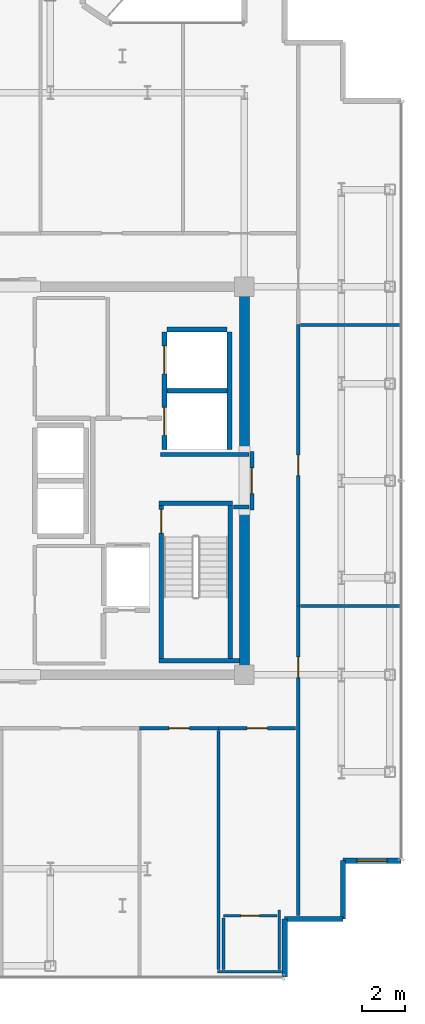
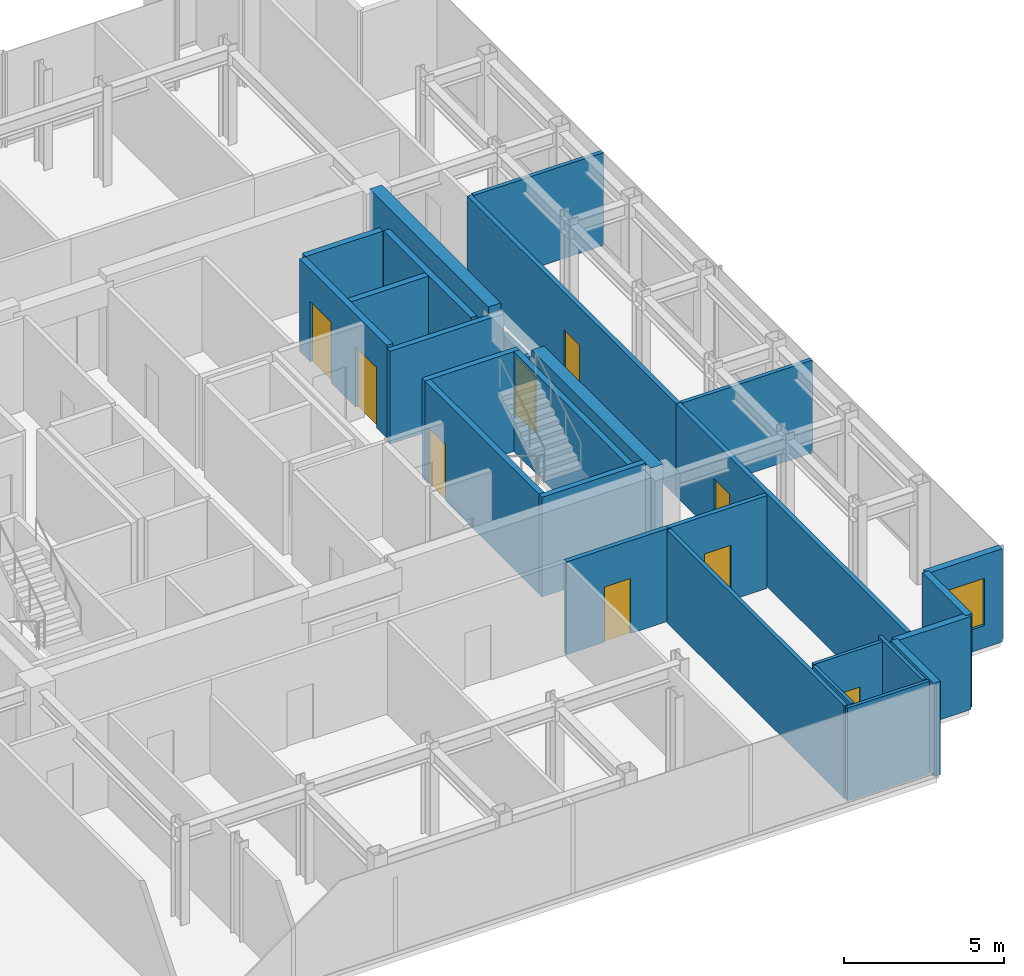
# One storey, part 15 of 18: 28 walls, 9 doors, 1 window, 10 openings.
"""IFC4 building model written with IfcOpenShell, lengths in metres."""

from ifc_helpers import new_model, si_unit, direction, frame, frame_2d, origin, place, context, subcontext, project, spatial, rectangle, extrude, source, transform, mapped, material, layer, layer_set, type_object, element, fill, save


model = new_model("IFC4")

# Units and contexts
model_context = context("Model", 3, precision=1e-05, world=origin(), true_north=direction((0.0, 1.0)))
body_context = subcontext(model_context, "Body", "Model", "MODEL_VIEW")
ifc_project = project(units=[si_unit("LENGTHUNIT", "METRE"), si_unit("AREAUNIT", "SQUARE_METRE"), si_unit("VOLUMEUNIT", "CUBIC_METRE"), si_unit("PLANEANGLEUNIT", "RADIAN"), si_unit("MASSUNIT", "GRAM", prefix="KILO")], contexts=[model_context])

# Site, building, storey
site_placement = place(None, origin())
site = spatial("IfcSite", under=ifc_project, at=site_placement, CompositionType="ELEMENT")
building_placement = place(site_placement, origin())
building = spatial("IfcBuilding", under=site, at=building_placement, Name="Nefas-Gora Pilgrimage Tower", CompositionType="ELEMENT")
storey_placement = place(building_placement, frame((0.0, 0.0, 302.60009765625)))
storey = spatial("IfcBuildingStorey", under=building, at=storey_placement, Name="L76", CompositionType="ELEMENT", Elevation=302.60009765625)

# Walls
ifc_material_1 = material(Name="Concrete C50/60", Category="concrete")
ifc_layer_1 = layer(ifc_material_1, 0.449951171875)
ifc_layer_set_1 = layer_set([ifc_layer_1], Name="Concrete C50/60")
wall_type_1 = type_object("IfcWallType", Name="SW-CORE-450", PredefinedType="SHEAR", material=ifc_layer_set_1)
shared_shape_1 = source(origin(), body_context, "Body", "SweptSolid", [
    extrude(rectangle(XDim=7.4248046875, YDim=0.449951171875, at=frame_2d((3.71240234375, 0.0))), origin(), (0.0, 0.0, 1.0), 3.7998046875),
])
for number, where, z_axis, x_axis, name in (
    (1, (11.25, -8.77490234375, 0.0), (0.0, 0.0, 1.0), (0.0, 1.0, 0.0), "L76 Core Shear Wall E-South"),
    (2, (11.25, 1.35009765625, 0.0), (0.0, 0.0, 1.0), (0.0, 1.0, 0.0), "L76 Core Shear Wall E-North"),
):
    element("IfcWall", number, at=place(storey_placement, frame(where, z_axis=z_axis, x_axis=x_axis)), inside=storey, type_object=wall_type_1, Name=name, PredefinedType="SHEAR", context=body_context, shape_type="MappedRepresentation", body=[
        mapped(shared_shape_1, transform((0.0, 0.0, 0.0), x_axis=(1.0, 0.0, 0.0), y_axis=(0.0, 1.0, 0.0), z_axis=(0.0, 0.0, 1.0), scale=1.0)),
    ])

# Wall, opening, window
ifc_material_2 = material(Name="Precast concrete C45/55", Category="concrete")
ifc_layer_2 = layer(ifc_material_2, 0.239990234375)
ifc_layer_set_2 = layer_set([ifc_layer_2], Name="Precast concrete C45/55")
wall_type_2 = type_object("IfcWallType", Name="EW-SERR-240", PredefinedType="SHEAR", material=ifc_layer_set_2)
shared_shape_2 = source(origin(), body_context, "Body", "SweptSolid", [
    extrude(rectangle(XDim=2.699951171875, YDim=0.239990234375, at=frame_2d((1.35009765625, 0.0))), origin(), (0.0, 0.0, 1.0), 3.5498046875),
])
wall_1_placement = place(storey_placement, frame((15.820068359375, -17.6201171875, 0.0), z_axis=(0.0, 0.0, 1.0), x_axis=(1.0, 0.0, 0.0)))
wall_1 = element("IfcWall", 3, at=wall_1_placement, inside=storey, type_object=wall_type_2, Name="L76 Serrated Corner Shear Pier Wall 1", PredefinedType="SHEAR", context=body_context, shape_type="MappedRepresentation", body=[
    mapped(shared_shape_2, transform((0.0, 0.0, 0.0), x_axis=(1.0, 0.0, 0.0), y_axis=(0.0, 1.0, 0.0), z_axis=(0.0, 0.0, 1.0), scale=1.0)),
])
opening_1_placement = place(wall_1_placement, frame((0.64990234375, 0.0, 0.85009765625)))
opening_1 = element("IfcOpeningElement", 4, at=opening_1_placement, cuts=wall_1, Name="Opening W-V2", PredefinedType="OPENING", context=body_context, shape_type="SweptSolid", body=[
    extrude(rectangle(XDim=1.39990234375, YDim=1.800048828125, at=frame_2d((0.699951171875, 0.89990234375))), frame((0.0, 0.1298828125, 0.0), z_axis=(0.0, -1.0, 0.0), x_axis=(1.0, 0.0, 0.0)), (0.0, 0.0, 1.0), 0.260009765625),
])
ifc_material_3 = material(Name="Dark ceramic-fritted operable aluminium-glass window", Category="aluminium")
window_type = type_object("IfcWindowType", Name="WIN-VENT-1400x1800", PartitioningType="SINGLE_PANEL", PredefinedType="WINDOW", material=ifc_material_3)
shared_shape_3 = source(origin(), body_context, "Body", "SweptSolid", [
    extrude(rectangle(XDim=1.39990234375, YDim=1.800048828125, at=frame_2d((0.699951171875, 0.89990234375))), frame((0.0, 0.030029296875, 0.0), z_axis=(0.0, -1.0, 0.0), x_axis=(1.0, 0.0, 0.0)), (0.0, 0.0, 1.0), 0.06005859375),
])
window_placement = place(opening_1_placement, origin())
window = element("IfcWindow", 5, at=window_placement, inside=storey, type_object=window_type, Name="L76 Operable Parallel-Outswing Window 1", OverallHeight=1.800048828125, OverallWidth=1.39990234375, PartitioningType="SINGLE_PANEL", PredefinedType="WINDOW", context=body_context, shape_type="MappedRepresentation", body=[
    mapped(shared_shape_3, transform((0.0, 0.0, 0.0), x_axis=(1.0, 0.0, 0.0), y_axis=(0.0, 1.0, 0.0), z_axis=(0.0, 0.0, 1.0), scale=1.0)),
])
fill(opening_1, window)

# Walls
for number, where, z_axis, x_axis, name in (
    (6, (13.1201171875, -23.02001953125, 0.0), (0.0, 0.0, 1.0), (0.0, 1.0, 0.0), "L76 Serrated Corner Shear Pier Wall 25"),
    (7, (13.1201171875, -20.320068359375, 0.0), (0.0, 0.0, 1.0), (1.0, 0.0, 0.0), "L76 Serrated Corner Shear Pier Wall 26"),
    (8, (15.820068359375, -20.320068359375, 0.0), (0.0, 0.0, 1.0), (0.0, 1.0, 0.0), "L76 Serrated Corner Shear Pier Wall 27"),
):
    element("IfcWall", number, at=place(storey_placement, frame(where, z_axis=z_axis, x_axis=x_axis)), inside=storey, type_object=wall_type_2, Name=name, PredefinedType="SHEAR", context=body_context, shape_type="MappedRepresentation", body=[
        mapped(shared_shape_2, transform((0.0, 0.0, 0.0), x_axis=(1.0, 0.0, 0.0), y_axis=(0.0, 1.0, 0.0), z_axis=(0.0, 0.0, 1.0), scale=1.0)),
    ])
ifc_material_4 = material(Name="Concrete C45/55", Category="concrete")
ifc_layer_3 = layer(ifc_material_4, 0.199951171875)
ifc_layer_set_3 = layer_set([ifc_layer_3], Name="Concrete C45/55")
wall_type_3 = type_object("IfcWallType", Name="IW-STAIR-200", PredefinedType="SOLIDWALL", material=ifc_layer_set_3)
shared_shape_4 = source(origin(), body_context, "Body", "SweptSolid", [
    extrude(rectangle(XDim=3.39990234375, YDim=0.199951171875, at=frame_2d((1.699951171875, 0.0))), origin(), (0.0, 0.0, 1.0), 3.7998046875),
])
wall_2_placement = place(storey_placement, frame((7.300048828125, -1.050048828125, 0.0), z_axis=(0.0, 0.0, 1.0), x_axis=(1.0, 0.0, 0.0)))
element("IfcWall", 9, at=wall_2_placement, inside=storey, type_object=wall_type_3, Name="L76 Stairwell Shear Wall ST-02-near", PredefinedType="SOLIDWALL", context=body_context, shape_type="MappedRepresentation", body=[
    mapped(shared_shape_4, transform((0.0, 0.0, 0.0), x_axis=(1.0, 0.0, 0.0), y_axis=(0.0, 1.0, 0.0), z_axis=(0.0, 0.0, 1.0), scale=1.0)),
])

# Wall, opening, door
shared_shape_5 = source(origin(), body_context, "Body", "SweptSolid", [
    extrude(rectangle(XDim=7.10009765625, YDim=0.199951171875, at=frame_2d((3.550048828125, 0.0))), origin(), (0.0, 0.0, 1.0), 3.7998046875),
])
wall_3_placement = place(storey_placement, frame((7.39990234375, -1.14990234375, 0.0), z_axis=(0.0, 0.0, 1.0), x_axis=(0.0, -1.0, 0.0)))
wall_3 = element("IfcWall", 10, at=wall_3_placement, inside=storey, type_object=wall_type_3, Name="L76 Stairwell Shear Wall ST-02-left", PredefinedType="SOLIDWALL", context=body_context, shape_type="MappedRepresentation", body=[
    mapped(shared_shape_5, transform((0.0, 0.0, 0.0), x_axis=(1.0, 0.0, 0.0), y_axis=(0.0, 1.0, 0.0), z_axis=(0.0, 0.0, 1.0), scale=1.0)),
])
opening_2_placement = place(wall_3_placement, frame((0.179931640625, 0.0, 0.0)))
opening_2 = element("IfcOpeningElement", 11, at=opening_2_placement, cuts=wall_3, Name="Opening ID-ST1", PredefinedType="OPENING", context=body_context, shape_type="SweptSolid", body=[
    extrude(rectangle(XDim=1.10009765625, YDim=2.14990234375, at=frame_2d((0.550048828125, 1.074951171875))), frame((0.0, 0.10986328125, 0.0), z_axis=(0.0, -1.0, 0.0), x_axis=(1.0, 0.0, 0.0)), (0.0, 0.0, 1.0), 0.219970703125),
])
ifc_material_5 = material(Name="Painted galvanised steel fire stair door", Category="steel")
door_type_1 = type_object("IfcDoorType", Name="DR-INT-STAIR-1100", OperationType="NOTDEFINED", PredefinedType="DOOR", material=ifc_material_5)
shared_shape_6 = source(origin(), body_context, "Body", "SweptSolid", [
    extrude(rectangle(XDim=1.10009765625, YDim=2.14990234375, at=frame_2d((0.550048828125, 1.074951171875))), frame((0.0, 0.02490234375, 0.0), z_axis=(0.0, -1.0, 0.0), x_axis=(1.0, 0.0, 0.0)), (0.0, 0.0, 1.0), 0.050048828125),
])
door_1_placement = place(opening_2_placement, origin())
door_1 = element("IfcDoor", 12, at=door_1_placement, inside=storey, type_object=door_type_1, Name="L76 Protected Exit Stair Door ST-02", OperationType="SINGLE_SWING_LEFT", OverallHeight=2.14990234375, OverallWidth=1.10009765625, PredefinedType="DOOR", context=body_context, shape_type="MappedRepresentation", body=[
    mapped(shared_shape_6, transform((0.0, 0.0, 0.0), x_axis=(1.0, 0.0, 0.0), y_axis=(0.0, 1.0, 0.0), z_axis=(0.0, 0.0, 1.0), scale=1.0)),
])
fill(opening_2, door_1)

# Walls
wall_4_placement = place(storey_placement, frame((10.60009765625, -1.14990234375, 0.0), z_axis=(0.0, 0.0, 1.0), x_axis=(0.0, -1.0, 0.0)))
element("IfcWall", 13, at=wall_4_placement, inside=storey, type_object=wall_type_3, Name="L76 Stairwell Shear Wall ST-02-right", PredefinedType="SOLIDWALL", context=body_context, shape_type="MappedRepresentation", body=[
    mapped(shared_shape_5, transform((0.0, 0.0, 0.0), x_axis=(1.0, 0.0, 0.0), y_axis=(0.0, 1.0, 0.0), z_axis=(0.0, 0.0, 1.0), scale=1.0)),
])
shared_shape_7 = source(origin(), body_context, "Body", "SweptSolid", [
    extrude(rectangle(XDim=3.72998046875, YDim=0.199951171875, at=frame_2d((1.864990234375, 0.0))), origin(), (0.0, 0.0, 1.0), 3.7998046875),
])
wall_5_placement = place(storey_placement, frame((7.300048828125, -8.35009765625, 0.0), z_axis=(0.0, 0.0, 1.0), x_axis=(1.0, 0.0, 0.0)))
element("IfcWall", 14, at=wall_5_placement, inside=storey, type_object=wall_type_3, Name="L76 Stairwell Shear Wall ST-02-far", PredefinedType="SOLIDWALL", context=body_context, shape_type="MappedRepresentation", body=[
    mapped(shared_shape_7, transform((0.0, 0.0, 0.0), x_axis=(1.0, 0.0, 0.0), y_axis=(0.0, 1.0, 0.0), z_axis=(0.0, 0.0, 1.0), scale=1.0)),
])

# Wall, openings, doors
ifc_material_6 = material(Name="Concrete C40/50", Category="concrete")
ifc_layer_4 = layer(ifc_material_6, 0.219970703125)
ifc_layer_set_4 = layer_set([ifc_layer_4], Name="Concrete C40/50")
wall_type_4 = type_object("IfcWallType", Name="IW-SHAFT-220", PredefinedType="SOLIDWALL", material=ifc_layer_set_4)
shared_shape_8 = source(origin(), body_context, "Body", "SweptSolid", [
    extrude(rectangle(XDim=5.449951171875, YDim=0.219970703125, at=frame_2d((2.72509765625, 0.0))), origin(), (0.0, 0.0, 1.0), 3.534912109375),
])
wall_6_placement = place(storey_placement, frame((7.5400390625, 6.89990234375, 0.0), z_axis=(0.0, 0.0, 1.0), x_axis=(0.0, -1.0, 0.0)))
wall_6 = element("IfcWall", 15, at=wall_6_placement, inside=storey, type_object=wall_type_4, Name="L76 Hoistway Wall SL-01-02-W", PredefinedType="SOLIDWALL", context=body_context, shape_type="MappedRepresentation", body=[
    mapped(shared_shape_8, transform((0.0, 0.0, 0.0), x_axis=(1.0, 0.0, 0.0), y_axis=(0.0, 1.0, 0.0), z_axis=(0.0, 0.0, 1.0), scale=1.0)),
])
opening_3_placement = place(wall_6_placement, frame((3.5, 0.0, 0.0)))
opening_3 = element("IfcOpeningElement", 16, at=opening_3_placement, cuts=wall_6, Name="Opening LD-SV", PredefinedType="OPENING", context=body_context, shape_type="SweptSolid", body=[
    extrude(rectangle(XDim=1.300048828125, YDim=2.300048828125, at=frame_2d((0.64990234375, 1.14990234375))), frame((0.0, 0.119873046875, 0.0), z_axis=(0.0, -1.0, 0.0), x_axis=(1.0, 0.0, 0.0)), (0.0, 0.0, 1.0), 0.239990234375),
])
opening_4_placement = place(wall_6_placement, frame((0.64990234375, 0.0, 0.0)))
opening_4 = element("IfcOpeningElement", 17, at=opening_4_placement, cuts=wall_6, Name="Opening LD-SV", PredefinedType="OPENING", context=body_context, shape_type="SweptSolid", body=[
    extrude(rectangle(XDim=1.300048828125, YDim=2.300048828125, at=frame_2d((0.64990234375, 1.14990234375))), frame((0.0, 0.119873046875, 0.0), z_axis=(0.0, -1.0, 0.0), x_axis=(1.0, 0.0, 0.0)), (0.0, 0.0, 1.0), 0.239990234375),
])
ifc_material_7 = material(Name="Heavy goods sliding lift landing door")
door_type_2 = type_object("IfcDoorType", Name="DR-LIFT-SERV-1300", OperationType="SLIDING_TO_RIGHT", PredefinedType="DOOR", material=ifc_material_7)
shared_shape_9 = source(origin(), body_context, "Body", "SweptSolid", [
    extrude(rectangle(XDim=1.300048828125, YDim=2.300048828125, at=frame_2d((0.64990234375, 1.14990234375))), frame((0.0, 0.02490234375, 0.0), z_axis=(0.0, -1.0, 0.0), x_axis=(1.0, 0.0, 0.0)), (0.0, 0.0, 1.0), 0.050048828125),
])
door_2_placement = place(opening_3_placement, origin())
door_2 = element("IfcDoor", 18, at=door_2_placement, inside=storey, type_object=door_type_2, Name="L76 Sliding Lift Landing Door SL-01", OperationType="SLIDING_TO_RIGHT", OverallHeight=2.300048828125, OverallWidth=1.300048828125, PredefinedType="DOOR", context=body_context, shape_type="MappedRepresentation", body=[
    mapped(shared_shape_9, transform((0.0, 0.0, 0.0), x_axis=(1.0, 0.0, 0.0), y_axis=(0.0, 1.0, 0.0), z_axis=(0.0, 0.0, 1.0), scale=1.0)),
])
fill(opening_3, door_2)
door_3_placement = place(opening_4_placement, origin())
door_3 = element("IfcDoor", 19, at=door_3_placement, inside=storey, type_object=door_type_2, Name="L76 Sliding Lift Landing Door SL-02", OperationType="SLIDING_TO_RIGHT", OverallHeight=2.300048828125, OverallWidth=1.300048828125, PredefinedType="DOOR", context=body_context, shape_type="MappedRepresentation", body=[
    mapped(shared_shape_9, transform((0.0, 0.0, 0.0), x_axis=(1.0, 0.0, 0.0), y_axis=(0.0, 1.0, 0.0), z_axis=(0.0, 0.0, 1.0), scale=1.0)),
])
fill(opening_4, door_3)

# Walls
wall_7_placement = place(storey_placement, frame((10.56005859375, 1.449951171875, 0.0), z_axis=(0.0, 0.0, 1.0), x_axis=(0.0, 1.0, 0.0)))
element("IfcWall", 20, at=wall_7_placement, inside=storey, type_object=wall_type_4, Name="L76 Hoistway Wall SL-01-02-E", PredefinedType="SOLIDWALL", context=body_context, shape_type="MappedRepresentation", body=[
    mapped(shared_shape_8, transform((0.0, 0.0, 0.0), x_axis=(1.0, 0.0, 0.0), y_axis=(0.0, 1.0, 0.0), z_axis=(0.0, 0.0, 1.0), scale=1.0)),
])
shared_shape_10 = source(origin(), body_context, "Body", "SweptSolid", [
    extrude(rectangle(XDim=2.780029296875, YDim=0.219970703125, at=frame_2d((1.39013671875, 0.0))), origin(), (0.0, 0.0, 1.0), 3.534912109375),
])
for number, where, z_axis, x_axis, name in (
    (21, (7.659912109375, 4.175048828125, 0.0), (0.0, 0.0, 1.0), (1.0, 0.0, 0.0), "L76 Hoistway Wall SL-01-02-DIV"),
    (22, (10.43994140625, 7.010009765625, 0.0), (0.0, 0.0, 1.0), (-1.0, 0.0, 0.0), "L76 Hoistway Wall SL-02-N"),
):
    element("IfcWall", number, at=place(storey_placement, frame(where, z_axis=z_axis, x_axis=x_axis)), inside=storey, type_object=wall_type_4, Name=name, PredefinedType="SOLIDWALL", context=body_context, shape_type="MappedRepresentation", body=[
        mapped(shared_shape_10, transform((0.0, 0.0, 0.0), x_axis=(1.0, 0.0, 0.0), y_axis=(0.0, 1.0, 0.0), z_axis=(0.0, 0.0, 1.0), scale=1.0)),
    ])
ifc_material_8 = material(Name="Gypsum fire-rated shaftwall")
ifc_layer_5 = layer(ifc_material_8, 0.199951171875)
ifc_layer_set_5 = layer_set([ifc_layer_5], Name="Gypsum fire-rated shaftwall")
wall_type_5 = type_object("IfcWallType", Name="IW-FFLOB-200", PredefinedType="PARTITIONING", material=ifc_layer_set_5)
shared_shape_11 = source(origin(), body_context, "Body", "SweptSolid", [
    extrude(rectangle(XDim=0.719970703125, YDim=0.199951171875, at=frame_2d((0.35986328125, 0.0))), origin(), (0.0, 0.0, 1.0), 3.534912109375),
])
wall_8_placement = place(storey_placement, frame((10.739990234375, -1.219970703125, 0.0), z_axis=(0.0, 0.0, 1.0), x_axis=(1.0, 0.0, 0.0)))
element("IfcWall", 23, at=wall_8_placement, inside=storey, type_object=wall_type_5, Name="L76 FF Lobby East Throat S Wall 15", PredefinedType="PARTITIONING", context=body_context, shape_type="MappedRepresentation", body=[
    mapped(shared_shape_11, transform((0.0, 0.0, 0.0), x_axis=(1.0, 0.0, 0.0), y_axis=(0.0, 1.0, 0.0), z_axis=(0.0, 0.0, 1.0), scale=1.0)),
])
shared_shape_12 = source(origin(), body_context, "Body", "SweptSolid", [
    extrude(rectangle(XDim=4.10986328125, YDim=0.199951171875, at=frame_2d((2.054931640625, 0.0))), origin(), (0.0, 0.0, 1.0), 3.534912109375),
])
wall_9_placement = place(storey_placement, frame((7.35009765625, 1.219970703125, 0.0), z_axis=(0.0, 0.0, 1.0), x_axis=(1.0, 0.0, 0.0)))
element("IfcWall", 24, at=wall_9_placement, inside=storey, type_object=wall_type_5, Name="L76 FF Lobby East Throat N Wall 14", PredefinedType="PARTITIONING", context=body_context, shape_type="MappedRepresentation", body=[
    mapped(shared_shape_12, transform((0.0, 0.0, 0.0), x_axis=(1.0, 0.0, 0.0), y_axis=(0.0, 1.0, 0.0), z_axis=(0.0, 0.0, 1.0), scale=1.0)),
])

# Wall, opening, door
ifc_material_9 = material(Name="Gypsum acoustic stud partition")
ifc_layer_6 = layer(ifc_material_9, 0.159912109375)
ifc_layer_set_6 = layer_set([ifc_layer_6], Name="Gypsum acoustic stud partition")
wall_type_6 = type_object("IfcWallType", Name="IW-CORR-160", PredefinedType="PARTITIONING", material=ifc_layer_set_6)
shared_shape_13 = source(origin(), body_context, "Body", "SweptSolid", [
    extrude(rectangle(XDim=3.6650390625, YDim=0.159912109375, at=frame_2d((1.83251953125, 0.0))), origin(), (0.0, 0.0, 1.0), 3.534912109375),
])
wall_10_placement = place(storey_placement, frame((6.39501953125, -11.469970703125, 0.0), z_axis=(0.0, 0.0, 1.0), x_axis=(1.0, 0.0, 0.0)))
wall_10 = element("IfcWall", 25, at=wall_10_placement, inside=storey, type_object=wall_type_6, Name="L76 Pilgrim Contemplative Lounge Partition Wall 71", PredefinedType="PARTITIONING", context=body_context, shape_type="MappedRepresentation", body=[
    mapped(shared_shape_13, transform((0.0, 0.0, 0.0), x_axis=(1.0, 0.0, 0.0), y_axis=(0.0, 1.0, 0.0), z_axis=(0.0, 0.0, 1.0), scale=1.0)),
])
opening_5_placement = place(wall_10_placement, frame((1.357421875, 0.0, 0.0)))
opening_5 = element("IfcOpeningElement", 26, at=opening_5_placement, cuts=wall_10, Name="Opening ID-GR1", PredefinedType="OPENING", context=body_context, shape_type="SweptSolid", body=[
    extrude(rectangle(XDim=0.949951171875, YDim=2.10009765625, at=frame_2d((0.47509765625, 1.050048828125))), frame((0.0, 0.08984375, 0.0), z_axis=(0.0, -1.0, 0.0), x_axis=(1.0, 0.0, 0.0)), (0.0, 0.0, 1.0), 0.179931640625),
])
ifc_material_10 = material(Name="Solid core oak fire-rated guest entrance door")
door_type_3 = type_object("IfcDoorType", Name="DR-INT-GUEST-950", OperationType="NOTDEFINED", PredefinedType="DOOR", material=ifc_material_10)
shared_shape_14 = source(origin(), body_context, "Body", "SweptSolid", [
    extrude(rectangle(XDim=0.949951171875, YDim=2.10009765625, at=frame_2d((0.47509765625, 1.050048828125))), frame((0.0, 0.02490234375, 0.0), z_axis=(0.0, -1.0, 0.0), x_axis=(1.0, 0.0, 0.0)), (0.0, 0.0, 1.0), 0.050048828125),
])
door_4_placement = place(opening_5_placement, origin())
door_4 = element("IfcDoor", 27, at=door_4_placement, inside=storey, type_object=door_type_3, Name="L76 Pilgrim Contemplative Lounge Door 32", OperationType="SINGLE_SWING_LEFT", OverallHeight=2.10009765625, OverallWidth=0.949951171875, PredefinedType="DOOR", context=body_context, shape_type="MappedRepresentation", body=[
    mapped(shared_shape_14, transform((0.0, 0.0, 0.0), x_axis=(1.0, 0.0, 0.0), y_axis=(0.0, 1.0, 0.0), z_axis=(0.0, 0.0, 1.0), scale=1.0)),
])
fill(opening_5, door_4)

shared_shape_15 = source(origin(), body_context, "Body", "SweptSolid", [
    extrude(rectangle(XDim=3.56005859375, YDim=0.159912109375, at=frame_2d((1.780029296875, 0.0))), origin(), (0.0, 0.0, 1.0), 3.534912109375),
])
wall_11_placement = place(storey_placement, frame((10.06005859375, -11.469970703125, 0.0), z_axis=(0.0, 0.0, 1.0), x_axis=(1.0, 0.0, 0.0)))
wall_11 = element("IfcWall", 28, at=wall_11_placement, inside=storey, type_object=wall_type_6, Name="L76 Pilgrim Sanctuary Suite Partition Wall 73", PredefinedType="PARTITIONING", context=body_context, shape_type="MappedRepresentation", body=[
    mapped(shared_shape_15, transform((0.0, 0.0, 0.0), x_axis=(1.0, 0.0, 0.0), y_axis=(0.0, 1.0, 0.0), z_axis=(0.0, 0.0, 1.0), scale=1.0)),
])
opening_6_placement = place(wall_11_placement, frame((1.304931640625, 0.0, 0.0)))
opening_6 = element("IfcOpeningElement", 29, at=opening_6_placement, cuts=wall_11, Name="Opening ID-GR1", PredefinedType="OPENING", context=body_context, shape_type="SweptSolid", body=[
    extrude(rectangle(XDim=0.949951171875, YDim=2.10009765625, at=frame_2d((0.47509765625, 1.050048828125))), frame((0.0, 0.08984375, 0.0), z_axis=(0.0, -1.0, 0.0), x_axis=(1.0, 0.0, 0.0)), (0.0, 0.0, 1.0), 0.179931640625),
])
door_5_placement = place(opening_6_placement, origin())
door_5 = element("IfcDoor", 30, at=door_5_placement, inside=storey, type_object=door_type_3, Name="L76 Pilgrim Sanctuary Suite Door 33", OperationType="SINGLE_SWING_RIGHT", OverallHeight=2.10009765625, OverallWidth=0.949951171875, PredefinedType="DOOR", context=body_context, shape_type="MappedRepresentation", body=[
    mapped(shared_shape_14, transform((0.0, 0.0, 0.0), x_axis=(1.0, 0.0, 0.0), y_axis=(0.0, 1.0, 0.0), z_axis=(0.0, 0.0, 1.0), scale=1.0)),
])
fill(opening_6, door_5)

ifc_material_11 = material(Name="Moisture-resistant fire-rated gypsum partition")
ifc_layer_7 = layer(ifc_material_11, 0.1201171875)
ifc_layer_set_7 = layer_set([ifc_layer_7], Name="Moisture-resistant fire-rated gypsum partition")
wall_type_7 = type_object("IfcWallType", Name="IW-WET-120", PredefinedType="PLUMBINGWALL", material=ifc_layer_set_7)
shared_shape_16 = source(origin(), body_context, "Body", "SweptSolid", [
    extrude(rectangle(XDim=2.47998046875, YDim=0.1201171875, at=frame_2d((1.239990234375, 0.0))), origin(), (0.0, 0.0, 1.0), 3.534912109375),
])
wall_12_placement = place(storey_placement, frame((10.280029296875, -20.179931640625, 0.0), z_axis=(0.0, 0.0, 1.0), x_axis=(1.0, 0.0, 0.0)))
wall_12 = element("IfcWall", 31, at=wall_12_placement, inside=storey, type_object=wall_type_7, Name="L76 En-Suite Bathroom Wall 21", PredefinedType="PLUMBINGWALL", context=body_context, shape_type="MappedRepresentation", body=[
    mapped(shared_shape_16, transform((0.0, 0.0, 0.0), x_axis=(1.0, 0.0, 0.0), y_axis=(0.0, 1.0, 0.0), z_axis=(0.0, 0.0, 1.0), scale=1.0)),
])
opening_7_placement = place(wall_12_placement, frame((0.81494140625, 0.0, 0.0)))
opening_7 = element("IfcOpeningElement", 32, at=opening_7_placement, cuts=wall_12, Name="Opening ID-BT1", PredefinedType="OPENING", context=body_context, shape_type="SweptSolid", body=[
    extrude(rectangle(XDim=0.85009765625, YDim=2.10009765625, at=frame_2d((0.425048828125, 1.050048828125))), frame((0.0, 0.070068359375, 0.0), z_axis=(0.0, -1.0, 0.0), x_axis=(1.0, 0.0, 0.0)), (0.0, 0.0, 1.0), 0.14013671875),
])
ifc_material_12 = material(Name="Moisture-resistant fire-rated timber door", Category="wood")
door_type_4 = type_object("IfcDoorType", Name="DR-INT-BATH-850", OperationType="NOTDEFINED", PredefinedType="DOOR", material=ifc_material_12)
shared_shape_17 = source(origin(), body_context, "Body", "SweptSolid", [
    extrude(rectangle(XDim=0.85009765625, YDim=2.10009765625, at=frame_2d((0.425048828125, 1.050048828125))), frame((0.0, 0.02490234375, 0.0), z_axis=(0.0, -1.0, 0.0), x_axis=(1.0, 0.0, 0.0)), (0.0, 0.0, 1.0), 0.050048828125),
])
door_6_placement = place(opening_7_placement, origin())
door_6 = element("IfcDoor", 33, at=door_6_placement, inside=storey, type_object=door_type_4, Name="L76 En-Suite Bathroom Door 8", OperationType="SINGLE_SWING_LEFT", OverallHeight=2.10009765625, OverallWidth=0.85009765625, PredefinedType="DOOR", context=body_context, shape_type="MappedRepresentation", body=[
    mapped(shared_shape_17, transform((0.0, 0.0, 0.0), x_axis=(1.0, 0.0, 0.0), y_axis=(0.0, 1.0, 0.0), z_axis=(0.0, 0.0, 1.0), scale=1.0)),
])
fill(opening_7, door_6)

shared_shape_18 = source(origin(), body_context, "Body", "SweptSolid", [
    extrude(rectangle(XDim=2.7001953125, YDim=0.199951171875, at=frame_2d((1.35009765625, 0.0))), origin(), (0.0, 0.0, 1.0), 2.625),
])
wall_13_placement = place(storey_placement, frame((11.60009765625, -1.35009765625, 0.0), z_axis=(0.0, 0.0, 1.0), x_axis=(0.0, 1.0, 0.0)))
wall_13 = element("IfcWall", 34, at=wall_13_placement, inside=storey, type_object=wall_type_5, Name="L76 FF Lobby East Portal Wall 10", PredefinedType="PARTITIONING", context=body_context, shape_type="MappedRepresentation", body=[
    mapped(shared_shape_18, transform((0.0, 0.0, 0.0), x_axis=(1.0, 0.0, 0.0), y_axis=(0.0, 1.0, 0.0), z_axis=(0.0, 0.0, 1.0), scale=1.0)),
])
opening_8_placement = place(wall_13_placement, frame((0.75, 0.0, 0.0)))
opening_8 = element("IfcOpeningElement", 35, at=opening_8_placement, cuts=wall_13, Name="Opening ID-FF1", PredefinedType="OPENING", context=body_context, shape_type="SweptSolid", body=[
    extrude(rectangle(XDim=1.199951171875, YDim=2.14990234375, at=frame_2d((0.60009765625, 1.074951171875))), frame((0.0, 0.10986328125, 0.0), z_axis=(0.0, -1.0, 0.0), x_axis=(1.0, 0.0, 0.0)), (0.0, 0.0, 1.0), 0.219970703125),
])
ifc_material_13 = material(Name="Smoke-sealed steel firefighting lobby door", Category="steel")
door_type_5 = type_object("IfcDoorType", Name="DR-INT-FFLOB-1200", OperationType="NOTDEFINED", PredefinedType="DOOR", material=ifc_material_13)
shared_shape_19 = source(origin(), body_context, "Body", "SweptSolid", [
    extrude(rectangle(XDim=1.199951171875, YDim=2.14990234375, at=frame_2d((0.60009765625, 1.074951171875))), frame((0.0, 0.02490234375, 0.0), z_axis=(0.0, -1.0, 0.0), x_axis=(1.0, 0.0, 0.0)), (0.0, 0.0, 1.0), 0.050048828125),
])
door_7_placement = place(opening_8_placement, origin())
door_7 = element("IfcDoor", 36, at=door_7_placement, inside=storey, type_object=door_type_5, Name="L76 FF Lobby East Portal Door 4", OperationType="SINGLE_SWING_LEFT", OverallHeight=2.14990234375, OverallWidth=1.199951171875, PredefinedType="DOOR", context=body_context, shape_type="MappedRepresentation", body=[
    mapped(shared_shape_19, transform((0.0, 0.0, 0.0), x_axis=(1.0, 0.0, 0.0), y_axis=(0.0, 1.0, 0.0), z_axis=(0.0, 0.0, 1.0), scale=1.0)),
])
fill(opening_8, door_7)

# Walls
ifc_material_14 = material(Name="Gypsum twin-stud partition")
ifc_layer_8 = layer(ifc_material_14, 0.139892578125)
ifc_layer_set_8 = layer_set([ifc_layer_8], Name="Gypsum twin-stud partition")
wall_type_8 = type_object("IfcWallType", Name="IW-UNIT-140", PredefinedType="PARTITIONING", material=ifc_layer_set_8)
shared_shape_20 = source(origin(), body_context, "Body", "SweptSolid", [
    extrude(rectangle(XDim=4.679931640625, YDim=0.139892578125, at=frame_2d((2.33984375, 0.0))), origin(), (0.0, 0.0, 1.0), 3.534912109375),
])
for number, where, z_axis, x_axis, name in (
    (37, (13.860107421875, -5.804931640625, 0.0), (0.0, 0.0, 1.0), (1.0, 0.0, 0.0), "L76 Pilgrim Fellowship Seminar Room Partition Wall 49"),
    (38, (13.860107421875, 7.2275390625, 0.0), (0.0, 0.0, 1.0), (1.0, 0.0, 0.0), "L76 Pilgrim Contemplative Lounge Partition Wall 51"),
):
    element("IfcWall", number, at=place(storey_placement, frame(where, z_axis=z_axis, x_axis=x_axis)), inside=storey, type_object=wall_type_8, Name=name, PredefinedType="PARTITIONING", context=body_context, shape_type="MappedRepresentation", body=[
        mapped(shared_shape_20, transform((0.0, 0.0, 0.0), x_axis=(1.0, 0.0, 0.0), y_axis=(0.0, 1.0, 0.0), z_axis=(0.0, 0.0, 1.0), scale=1.0)),
    ])

# Wall, opening, door
shared_shape_21 = source(origin(), body_context, "Body", "SweptSolid", [
    extrude(rectangle(XDim=13.04248046875, YDim=0.159912109375, at=frame_2d((6.521240234375, 0.0))), origin(), (0.0, 0.0, 1.0), 3.534912109375),
])
wall_14_placement = place(storey_placement, frame((13.739990234375, -5.804931640625, 0.0), z_axis=(0.0, 0.0, 1.0), x_axis=(0.0, 1.0, 0.0)))
wall_14 = element("IfcWall", 39, at=wall_14_placement, inside=storey, type_object=wall_type_6, Name="L76 Pilgrim Contemplative Lounge Partition Wall 50", PredefinedType="PARTITIONING", context=body_context, shape_type="MappedRepresentation", body=[
    mapped(shared_shape_21, transform((0.0, 0.0, 0.0), x_axis=(1.0, 0.0, 0.0), y_axis=(0.0, 1.0, 0.0), z_axis=(0.0, 0.0, 1.0), scale=1.0)),
])
opening_9_placement = place(wall_14_placement, frame((6.04638671875, 0.0, 0.0)))
opening_9 = element("IfcOpeningElement", 40, at=opening_9_placement, cuts=wall_14, Name="Opening ID-GR1", PredefinedType="OPENING", context=body_context, shape_type="SweptSolid", body=[
    extrude(rectangle(XDim=0.949951171875, YDim=2.10009765625, at=frame_2d((0.47509765625, 1.050048828125))), frame((0.0, 0.08984375, 0.0), z_axis=(0.0, -1.0, 0.0), x_axis=(1.0, 0.0, 0.0)), (0.0, 0.0, 1.0), 0.179931640625),
])
door_8_placement = place(opening_9_placement, origin())
door_8 = element("IfcDoor", 41, at=door_8_placement, inside=storey, type_object=door_type_3, Name="L76 Pilgrim Contemplative Lounge Door 22", OperationType="SINGLE_SWING_LEFT", OverallHeight=2.10009765625, OverallWidth=0.949951171875, PredefinedType="DOOR", context=body_context, shape_type="MappedRepresentation", body=[
    mapped(shared_shape_14, transform((0.0, 0.0, 0.0), x_axis=(1.0, 0.0, 0.0), y_axis=(0.0, 1.0, 0.0), z_axis=(0.0, 0.0, 1.0), scale=1.0)),
])
fill(opening_9, door_8)

# Walls
shared_shape_22 = source(origin(), body_context, "Body", "SweptSolid", [
    extrude(rectangle(XDim=2.9599609375, YDim=0.1201171875, at=frame_2d((1.47998046875, 0.0))), origin(), (0.0, 0.0, 1.0), 3.534912109375),
])
wall_15_placement = place(storey_placement, frame((10.0, -22.760009765625, 0.0), z_axis=(0.0, 0.0, 1.0), x_axis=(1.0, 0.0, 0.0)))
element("IfcWall", 42, at=wall_15_placement, inside=storey, type_object=wall_type_7, Name="L76 En-Suite Bathroom Wall 19", PredefinedType="PLUMBINGWALL", context=body_context, shape_type="MappedRepresentation", body=[
    mapped(shared_shape_22, transform((0.0, 0.0, 0.0), x_axis=(1.0, 0.0, 0.0), y_axis=(0.0, 1.0, 0.0), z_axis=(0.0, 0.0, 1.0), scale=1.0)),
])
shared_shape_23 = source(origin(), body_context, "Body", "SweptSolid", [
    extrude(rectangle(XDim=2.760009765625, YDim=0.1201171875, at=frame_2d((1.3798828125, 0.0))), origin(), (0.0, 0.0, 1.0), 3.534912109375),
])
wall_16_placement = place(storey_placement, frame((12.860107421875, -22.659912109375, 0.0), z_axis=(0.0, 0.0, 1.0), x_axis=(0.0, 1.0, 0.0)))
element("IfcWall", 43, at=wall_16_placement, inside=storey, type_object=wall_type_7, Name="L76 En-Suite Bathroom Wall 20", PredefinedType="PLUMBINGWALL", context=body_context, shape_type="MappedRepresentation", body=[
    mapped(shared_shape_23, transform((0.0, 0.0, 0.0), x_axis=(1.0, 0.0, 0.0), y_axis=(0.0, 1.0, 0.0), z_axis=(0.0, 0.0, 1.0), scale=1.0)),
])
shared_shape_24 = source(origin(), body_context, "Body", "SweptSolid", [
    extrude(rectangle(XDim=2.3798828125, YDim=0.1201171875, at=frame_2d((1.18994140625, 0.0))), origin(), (0.0, 0.0, 1.0), 3.534912109375),
])
wall_17_placement = place(storey_placement, frame((10.280029296875, -22.659912109375, 0.0), z_axis=(0.0, 0.0, 1.0), x_axis=(0.0, 1.0, 0.0)))
element("IfcWall", 44, at=wall_17_placement, inside=storey, type_object=wall_type_7, Name="L76 En-Suite Bathroom Wall 22", PredefinedType="PLUMBINGWALL", context=body_context, shape_type="MappedRepresentation", body=[
    mapped(shared_shape_24, transform((0.0, 0.0, 0.0), x_axis=(1.0, 0.0, 0.0), y_axis=(0.0, 1.0, 0.0), z_axis=(0.0, 0.0, 1.0), scale=1.0)),
])

# Wall, opening, door
shared_shape_25 = source(origin(), body_context, "Body", "SweptSolid", [
    extrude(rectangle(XDim=14.364990234375, YDim=0.159912109375, at=frame_2d((7.1826171875, 0.0))), origin(), (0.0, 0.0, 1.0), 3.534912109375),
])
wall_18_placement = place(storey_placement, frame((13.739990234375, -20.159912109375, 0.0), z_axis=(0.0, 0.0, 1.0), x_axis=(0.0, 1.0, 0.0)))
wall_18 = element("IfcWall", 45, at=wall_18_placement, inside=storey, type_object=wall_type_6, Name="L76 Pilgrim Fellowship Seminar Room Partition Wall 48", PredefinedType="PARTITIONING", context=body_context, shape_type="MappedRepresentation", body=[
    mapped(shared_shape_25, transform((0.0, 0.0, 0.0), x_axis=(1.0, 0.0, 0.0), y_axis=(0.0, 1.0, 0.0), z_axis=(0.0, 0.0, 1.0), scale=1.0)),
])
opening_10_placement = place(wall_18_placement, frame((11.032470703125, 0.0, 0.0)))
opening_10 = element("IfcOpeningElement", 46, at=opening_10_placement, cuts=wall_18, Name="Opening ID-GR1", PredefinedType="OPENING", context=body_context, shape_type="SweptSolid", body=[
    extrude(rectangle(XDim=0.949951171875, YDim=2.10009765625, at=frame_2d((0.47509765625, 1.050048828125))), frame((0.0, 0.08984375, 0.0), z_axis=(0.0, -1.0, 0.0), x_axis=(1.0, 0.0, 0.0)), (0.0, 0.0, 1.0), 0.179931640625),
])
door_9_placement = place(opening_10_placement, origin())
door_9 = element("IfcDoor", 47, at=door_9_placement, inside=storey, type_object=door_type_3, Name="L76 Pilgrim Fellowship Seminar Room Door 21", OperationType="SINGLE_SWING_RIGHT", OverallHeight=2.10009765625, OverallWidth=0.949951171875, PredefinedType="DOOR", context=body_context, shape_type="MappedRepresentation", body=[
    mapped(shared_shape_14, transform((0.0, 0.0, 0.0), x_axis=(1.0, 0.0, 0.0), y_axis=(0.0, 1.0, 0.0), z_axis=(0.0, 0.0, 1.0), scale=1.0)),
])
fill(opening_10, door_9)

# Wall
shared_shape_26 = source(origin(), body_context, "Body", "SweptSolid", [
    extrude(rectangle(XDim=11.06982421875, YDim=0.139892578125, at=frame_2d((5.534912109375, 0.0))), origin(), (0.0, 0.0, 1.0), 3.534912109375),
])
wall_19_placement = place(storey_placement, frame((10.050048828125, -22.659912109375, 0.0), z_axis=(0.0, 0.0, 1.0), x_axis=(0.0, 1.0, 0.0)))
element("IfcWall", 48, at=wall_19_placement, inside=storey, type_object=wall_type_8, Name="L76 Pilgrim Contemplative Lounge Partition Wall 72", PredefinedType="PARTITIONING", context=body_context, shape_type="MappedRepresentation", body=[
    mapped(shared_shape_26, transform((0.0, 0.0, 0.0), x_axis=(1.0, 0.0, 0.0), y_axis=(0.0, 1.0, 0.0), z_axis=(0.0, 0.0, 1.0), scale=1.0)),
])

save(model, "model.ifc")
